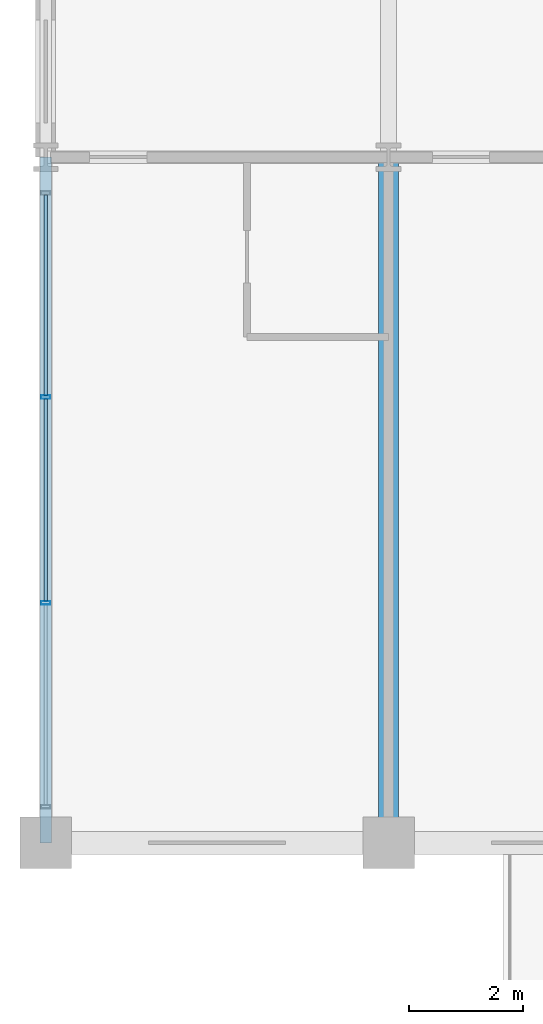
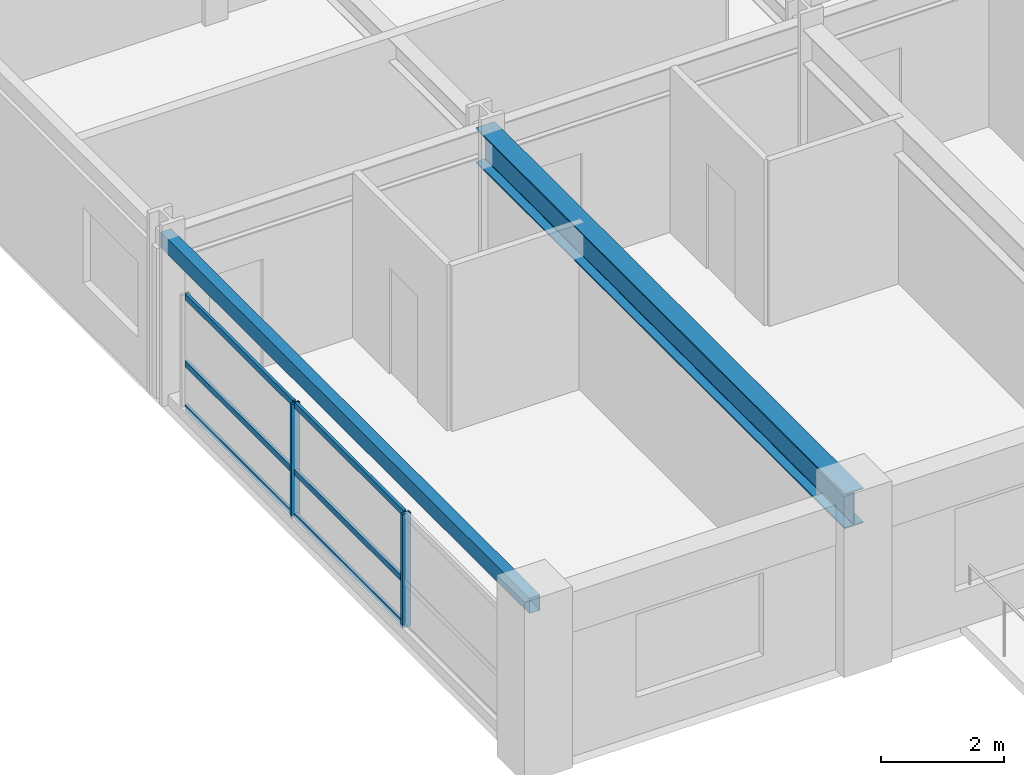
# One storey, part 4 of 24: 8 members, 2 beams, 1 element without a shape of its own.
"""IFC4 building model written with IfcOpenShell, lengths in metres."""

from ifc_helpers import new_model, si_unit, direction, frame, origin, origin_2d, place, context, subcontext, project, spatial, hollow_rectangle, i_section, extrude, material, material_profile, profile_set, type_object, element, aggregate, save


model = new_model("IFC4")

# Units and contexts
model_context = context("Model", 3, precision=1e-05, world=origin(), true_north=direction((0.0, 1.0)))
body_context = subcontext(model_context, "Body", "Model", "MODEL_VIEW")
ifc_project = project(units=[si_unit("LENGTHUNIT", "METRE"), si_unit("AREAUNIT", "SQUARE_METRE"), si_unit("VOLUMEUNIT", "CUBIC_METRE"), si_unit("PLANEANGLEUNIT", "RADIAN"), si_unit("MASSUNIT", "GRAM", prefix="KILO")], contexts=[model_context])

# Site, building, storey
site_placement = place(None, origin())
site = spatial("IfcSite", under=ifc_project, at=site_placement, CompositionType="ELEMENT")
building_placement = place(site_placement, origin())
building = spatial("IfcBuilding", under=site, at=building_placement, Name="Kaldorvane Square Convention Centre", CompositionType="ELEMENT")
storey_placement = place(building_placement, frame((0.0, 0.0, 27.600006103515625)))
storey = spatial("IfcBuildingStorey", under=building, at=storey_placement, Name="L05", CompositionType="ELEMENT", Elevation=27.600006103515625)

# Beams
ifc_material_1 = material(Name="Steel ASTM A992 Gr. 50", Category="steel")
ifc_material_profile_1 = material_profile(ifc_material_1, i_section(OverallWidth=0.354705810546875, OverallDepth=0.69549560546875, WebThickness=0.0153961181640625, FlangeThickness=0.0251007080078125, FilletRadius=0.01519775390625, at=origin_2d()), Name="W27X146")
ifc_profile_set_1 = profile_set([ifc_material_profile_1], Name="Steel ASTM A992 Gr. 50")
beam_type_1 = type_object("IfcBeamType", Name="BM-GR-W27X146", PredefinedType="BEAM", material=ifc_profile_set_1)
beam_1_placement = place(storey_placement, frame((30.0, 84.0, 2.93829345703125), z_axis=(0.0, 1.0, 0.0), x_axis=(-1.0, 0.0, 0.0)))
element("IfcBeam", 1, at=beam_1_placement, inside=storey, type_object=beam_type_1, Name="Transverse Girder (L05)", PredefinedType="BEAM", context=body_context, shape_type="SweptSolid", body=[
    extrude(i_section(OverallWidth=0.354705810546875, OverallDepth=0.69549560546875, WebThickness=0.0153961181640625, FlangeThickness=0.0251007080078125, FilletRadius=0.01519775390625, at=origin_2d()), origin(), (0.0, 0.0, 1.0), 12.0),
])
ifc_material_2 = material(Name="Steel ASTM A500 Gr. C", Category="steel")
ifc_material_profile_2 = material_profile(ifc_material_2, hollow_rectangle(XDim=0.2032012939453125, YDim=0.3047943115234375, WallThickness=0.0088958740234375, at=origin_2d()), Name="HSS12X8X3/8")
ifc_profile_set_2 = profile_set([ifc_material_profile_2], Name="Steel ASTM A500 Gr. C")
beam_type_2 = type_object("IfcBeamType", Name="BM-SP-HSS12", PredefinedType="SPANDREL", material=ifc_profile_set_2)
beam_2_placement = place(storey_placement, frame((24.0, 84.0, 3.1335906982421875), z_axis=(0.0, 1.0, 0.0), x_axis=(-1.0, 0.0, 0.0)))
element("IfcBeam", 2, at=beam_2_placement, inside=storey, type_object=beam_type_2, Name="End Spandrel (L05)", PredefinedType="SPANDREL", context=body_context, shape_type="SweptSolid", body=[
    extrude(hollow_rectangle(XDim=0.2032012939453125, YDim=0.3047943115234375, WallThickness=0.0088958740234375, at=origin_2d()), origin(), (0.0, 0.0, 1.0), 12.0),
])

# Curtain wall, members
ifc_material_3 = material(Name="Anodized Aluminum and Low-E Insulated Glazing", Category="aluminium")
curtain_wall_type = type_object("IfcCurtainWallType", Name="CW-UNI-HTL-B", PredefinedType="USERDEFINED", material=ifc_material_3)
curtain_wall_placement = place(storey_placement, origin())
curtain_wall = element("IfcCurtainWall", 3, at=curtain_wall_placement, inside=storey, type_object=curtain_wall_type, Name="Curtain Wall CW-11 (L05)", ObjectType="UNITISED GLAZING", PredefinedType="USERDEFINED")
ifc_material_profile_3 = material_profile(ifc_material_3, hollow_rectangle(XDim=0.05999755859375, YDim=0.160003662109375, WallThickness=0.003204345703125, at=origin_2d()), Name="CWM-160X60")
ifc_profile_set_3 = profile_set([ifc_material_profile_3], Name="Anodized Aluminum and Low-E Insulated Glazing")
member_type_1 = type_object("IfcMemberType", Name="CW-MUL-160", PredefinedType="MULLION", material=ifc_profile_set_3)
member_1_placement = place(storey_placement, frame((24.0, 91.80000305175781, 0.149993896484375), z_axis=(0.0, 0.0, 1.0), x_axis=(0.0, -1.0, 0.0)))
member_1 = element("IfcMember", 4, at=member_1_placement, type_object=member_type_1, Name="CW-11 mullion 2", PredefinedType="MULLION", context=body_context, shape_type="SweptSolid", body=[
    extrude(hollow_rectangle(XDim=0.05999755859375, YDim=0.160003662109375, WallThickness=0.003204345703125, at=origin_2d()), origin(), (0.0, 0.0, 1.0), 2.2599945068359375),
])
member_2_placement = place(storey_placement, frame((24.0, 88.19999694824219, 0.149993896484375), z_axis=(0.0, 0.0, 1.0), x_axis=(0.0, -1.0, 0.0)))
member_2 = element("IfcMember", 5, at=member_2_placement, type_object=member_type_1, Name="CW-11 mullion 3", PredefinedType="MULLION", context=body_context, shape_type="SweptSolid", body=[
    extrude(hollow_rectangle(XDim=0.05999755859375, YDim=0.160003662109375, WallThickness=0.003204345703125, at=origin_2d()), origin(), (0.0, 0.0, 1.0), 2.2599945068359375),
])
ifc_material_profile_4 = material_profile(ifc_material_3, hollow_rectangle(XDim=0.05499267578125, YDim=0.1199951171875, WallThickness=0.0030059814453125, at=origin_2d()), Name="CWT-120X55")
ifc_profile_set_4 = profile_set([ifc_material_profile_4], Name="Anodized Aluminum and Low-E Insulated Glazing")
member_type_2 = type_object("IfcMemberType", Name="CW-TRN-120", PredefinedType="USERDEFINED", material=ifc_profile_set_4)
member_3_placement = place(storey_placement, frame((24.0, 95.33999633789062, 0.177490234375), z_axis=(0.0, -1.0, 0.0), x_axis=(1.0, 0.0, 0.0)))
member_3 = element("IfcMember", 6, at=member_3_placement, type_object=member_type_2, Name="CW-11 transom 1.1", ObjectType="TRANSOM", PredefinedType="USERDEFINED", context=body_context, shape_type="SweptSolid", body=[
    extrude(hollow_rectangle(XDim=0.05499267578125, YDim=0.1199951171875, WallThickness=0.0030059814453125, at=origin_2d()), origin(), (0.0, 0.0, 1.0), 3.5099945068359375),
])
member_4_placement = place(storey_placement, frame((24.0, 95.33999633789062, 1.04998779296875), z_axis=(0.0, -1.0, 0.0), x_axis=(1.0, 0.0, 0.0)))
member_4 = element("IfcMember", 7, at=member_4_placement, type_object=member_type_2, Name="CW-11 transom 1.2", ObjectType="TRANSOM", PredefinedType="USERDEFINED", context=body_context, shape_type="SweptSolid", body=[
    extrude(hollow_rectangle(XDim=0.05499267578125, YDim=0.1199951171875, WallThickness=0.0030059814453125, at=origin_2d()), origin(), (0.0, 0.0, 1.0), 3.5099945068359375),
])
member_5_placement = place(storey_placement, frame((24.0, 95.33999633789062, 2.3824920654296875), z_axis=(0.0, -1.0, 0.0), x_axis=(1.0, 0.0, 0.0)))
member_5 = element("IfcMember", 8, at=member_5_placement, type_object=member_type_2, Name="CW-11 transom 1.3", ObjectType="TRANSOM", PredefinedType="USERDEFINED", context=body_context, shape_type="SweptSolid", body=[
    extrude(hollow_rectangle(XDim=0.05499267578125, YDim=0.1199951171875, WallThickness=0.0030059814453125, at=origin_2d()), origin(), (0.0, 0.0, 1.0), 3.5099945068359375),
])
member_6_placement = place(storey_placement, frame((24.0, 91.77000427246094, 0.177490234375), z_axis=(0.0, -1.0, 0.0), x_axis=(1.0, 0.0, 0.0)))
member_6 = element("IfcMember", 9, at=member_6_placement, type_object=member_type_2, Name="CW-11 transom 2.1", ObjectType="TRANSOM", PredefinedType="USERDEFINED", context=body_context, shape_type="SweptSolid", body=[
    extrude(hollow_rectangle(XDim=0.05499267578125, YDim=0.1199951171875, WallThickness=0.0030059814453125, at=origin_2d()), origin(), (0.0, 0.0, 1.0), 3.540008544921875),
])
member_7_placement = place(storey_placement, frame((24.0, 91.77000427246094, 1.04998779296875), z_axis=(0.0, -1.0, 0.0), x_axis=(1.0, 0.0, 0.0)))
member_7 = element("IfcMember", 10, at=member_7_placement, type_object=member_type_2, Name="CW-11 transom 2.2", ObjectType="TRANSOM", PredefinedType="USERDEFINED", context=body_context, shape_type="SweptSolid", body=[
    extrude(hollow_rectangle(XDim=0.05499267578125, YDim=0.1199951171875, WallThickness=0.0030059814453125, at=origin_2d()), origin(), (0.0, 0.0, 1.0), 3.540008544921875),
])
member_8_placement = place(storey_placement, frame((24.0, 91.77000427246094, 2.3824920654296875), z_axis=(0.0, -1.0, 0.0), x_axis=(1.0, 0.0, 0.0)))
member_8 = element("IfcMember", 11, at=member_8_placement, type_object=member_type_2, Name="CW-11 transom 2.3", ObjectType="TRANSOM", PredefinedType="USERDEFINED", context=body_context, shape_type="SweptSolid", body=[
    extrude(hollow_rectangle(XDim=0.05499267578125, YDim=0.1199951171875, WallThickness=0.0030059814453125, at=origin_2d()), origin(), (0.0, 0.0, 1.0), 3.540008544921875),
])
aggregate(curtain_wall, [member_1, member_2, member_3, member_4, member_5, member_6, member_7, member_8])

save(model, "model.ifc")
